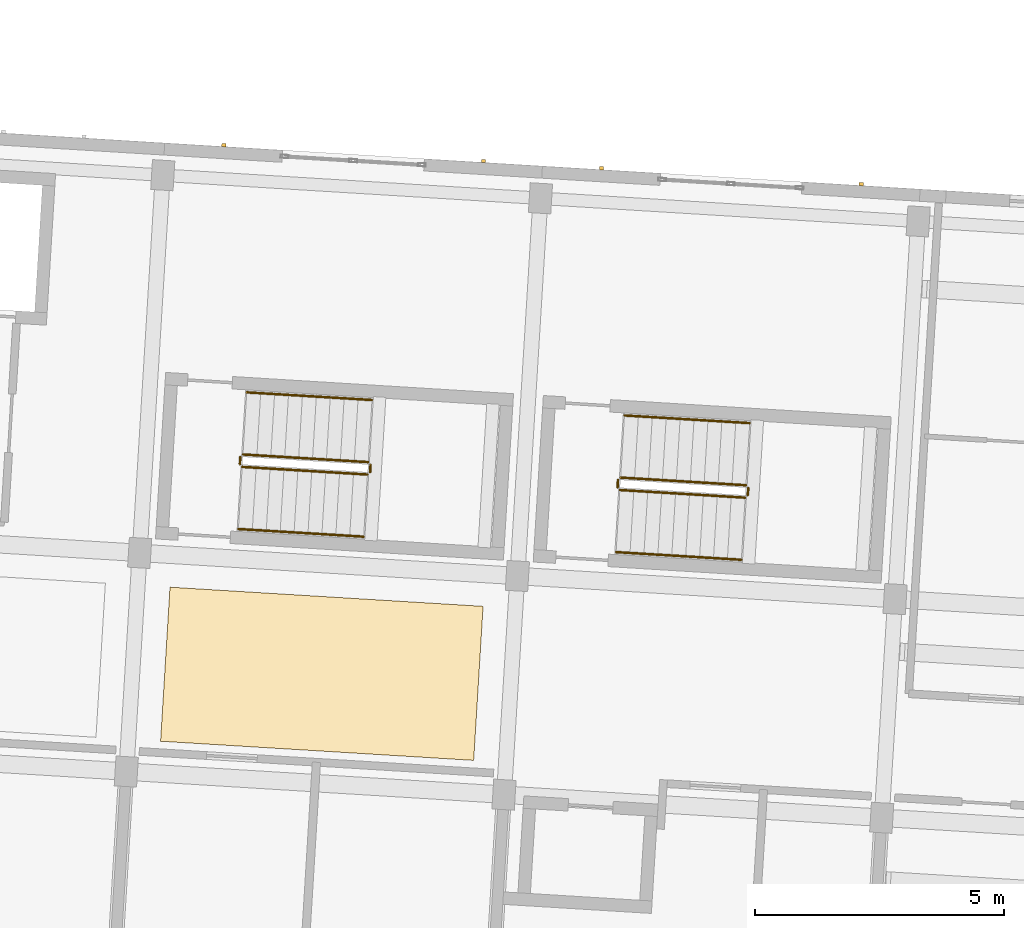
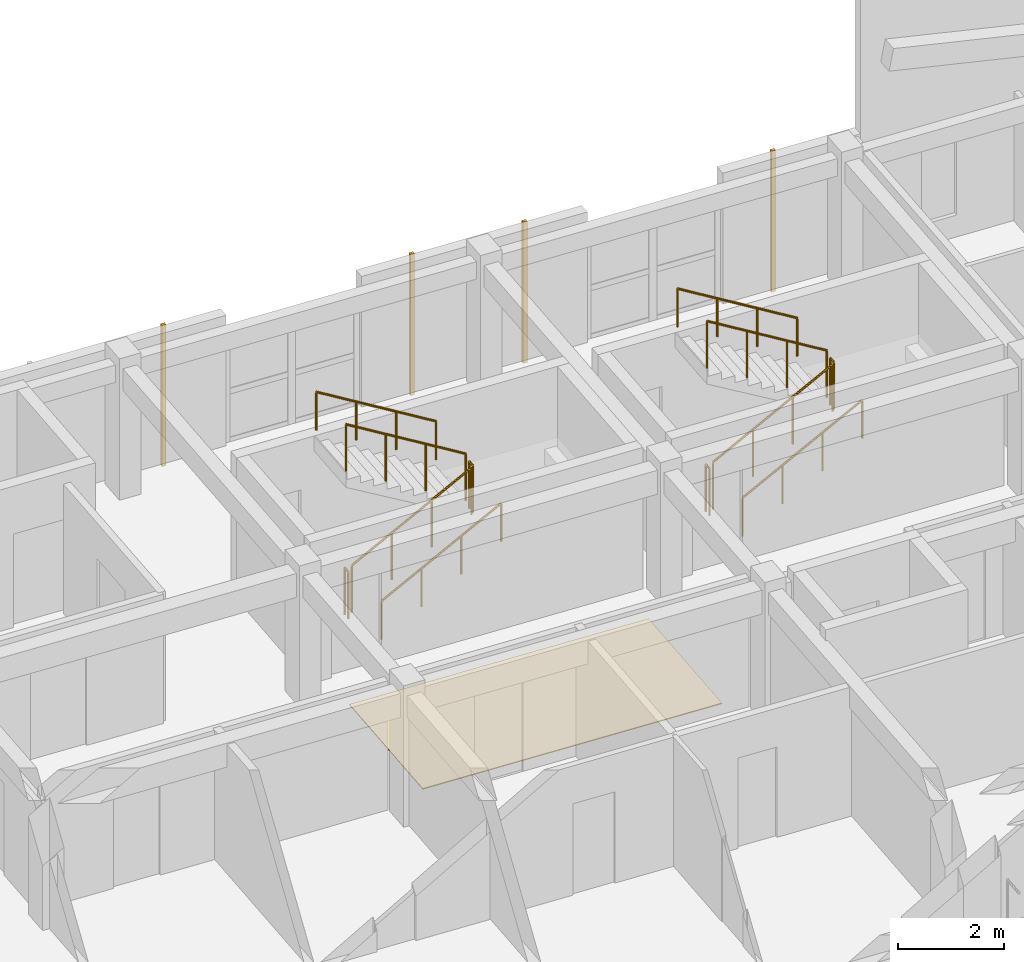
# One storey, part 45 of 56: 12 railings, 5 coverings.
"""IFC4 building model written with IfcOpenShell, lengths in metres."""

from ifc_helpers import new_model, si_unit, direction, frame, origin, origin_2d, place, context, subcontext, project, spatial, polyline, rectangle, circle, outline, extrude, material, layer, layer_set, type_object, element, save


model = new_model("IFC4")

# Units and contexts
model_context = context("Model", 3, precision=1e-05, world=origin(), true_north=direction((0.0, 1.0)))
body_context = subcontext(model_context, "Body", "Model", "MODEL_VIEW")
ifc_project = project(units=[si_unit("LENGTHUNIT", "METRE"), si_unit("AREAUNIT", "SQUARE_METRE"), si_unit("VOLUMEUNIT", "CUBIC_METRE"), si_unit("PLANEANGLEUNIT", "RADIAN"), si_unit("MASSUNIT", "GRAM", prefix="KILO")], contexts=[model_context])

# Site, building, storey
site_placement = place(None, origin())
site = spatial("IfcSite", under=ifc_project, at=site_placement, CompositionType="ELEMENT")
building_placement = place(site_placement, origin())
building = spatial("IfcBuilding", under=site, at=building_placement, Name="Kestramere Prow Commons", CompositionType="ELEMENT")
storey_placement = place(building_placement, frame((0.0, 0.0, 27.89990234375)))
storey = spatial("IfcBuildingStorey", under=building, at=storey_placement, Name="L08", CompositionType="ELEMENT", Elevation=27.89990234375)

# Coverings
ifc_material_1 = material(Name="Weathered Zinc-Titanium Standing-Seam Cladding")
ifc_layer_1 = layer(ifc_material_1, 0.074951171875)
ifc_layer_set_1 = layer_set([ifc_layer_1], Name="Weathered Zinc-Titanium Standing-Seam Cladding")
covering_type_1 = type_object("IfcCoveringType", Name="COV-CLAD-SEAM", PredefinedType="CLADDING", material=ifc_layer_set_1)
for number, where, z_axis, x_axis, name in (
    (1, (69.509033203125, 66.203125, -0.25), (0.0, 0.0, 1.0), (0.998134798422, -0.061048539535, 0.0), "EW-C-L08-NP-1-L Standing-Seam Rib 1"),
    (2, (74.724365234375, 65.88427734375, -0.25), (0.0, 0.0, 1.0), (0.998134798422, -0.061048539535, 0.0), "EW-C-L08-NP-1-R Standing-Seam Rib 1"),
    (3, (77.094970703125, 65.7392578125, -0.25), (0.0, 0.0, 1.0), (0.998134798422, -0.061048539535, 0.0), "EW-C-L08-NP-2-L Standing-Seam Rib 1"),
    (4, (82.31005859375, 65.420166015625, -0.25), (0.0, 0.0, 1.0), (0.998134798422, -0.061048539535, 0.0), "EW-C-L08-NP-2-R Standing-Seam Rib 1"),
):
    element("IfcCovering", number, at=place(storey_placement, frame(where, z_axis=z_axis, x_axis=x_axis)), inside=storey, type_object=covering_type_1, Name=name, PredefinedType="CLADDING", context=body_context, shape_type="SweptSolid", body=[
        extrude(rectangle(XDim=0.0849609375, YDim=0.06494140625, at=origin_2d()), origin(), (0.0, 0.0, 1.0), 3.25),
    ])
ifc_material_2 = material(Name="Honed Cementitious Terrazzo Tile")
ifc_layer_2 = layer(ifc_material_2, 0.02001953125)
ifc_layer_set_2 = layer_set([ifc_layer_2], Name="Honed Cementitious Terrazzo Tile")
covering_type_2 = type_object("IfcCoveringType", Name="COV-FLOOR-TERRAZZO", PredefinedType="FLOORING", material=ifc_layer_set_2)
covering_placement = place(storey_placement, origin())
element("IfcCovering", 5, at=covering_placement, inside=storey, type_object=covering_type_2, Name="Block C L08 Corridor Terrazzo Flooring 2", PredefinedType="FLOORING", context=body_context, shape_type="SweptSolid", body=[
    extrude(outline(polyline([(68.23828125, 54.23095703125), (74.526611328125, 53.846435546875), (74.7158203125, 56.940673828125), (68.427490234375, 57.3251953125), (68.23828125, 54.23095703125)])), origin(), (0.0, 0.0, 1.0), 0.02001953125),
])

# Railings
ifc_material_3 = material(Name="Galvanised Steel S275JR", Category="steel")
railing_type_1 = type_object("IfcRailingType", Name="RL-ST-GR-1100", PredefinedType="GUARDRAIL", material=ifc_material_3)
railing_1_placement = place(storey_placement, frame((69.877685546875, 59.7412109375, 0.16259765625)))
element("IfcRailing", 6, at=railing_1_placement, inside=storey, type_object=railing_type_1, Name="L08 ST-C1 stair guard 1", PredefinedType="GUARDRAIL", context=body_context, shape_type="SweptSolid", body=[
    extrude(circle(Radius=0.02392578125, at=origin_2d()), frame((0.0, 0.0, 1.076171875), z_axis=(0.863306038156, -0.052788780359, 0.501912371984), x_axis=(0.061033243939, 0.998135733823, 0.0)), (0.0, 0.0, 1.0), 2.91357421875),
    extrude(circle(Radius=0.02099609375, at=origin_2d()), origin(), (0.0, 0.0, 1.0), 1.052001953125),
    extrude(circle(Radius=0.02099609375, at=origin_2d()), frame((0.83837890625, -0.05126953125, 0.487548828125)), (0.0, 0.0, 1.0), 1.052001953125),
    extrude(circle(Radius=0.02099609375, at=origin_2d()), frame((1.677001953125, -0.1025390625, 0.974853515625)), (0.0, 0.0, 1.0), 1.052001953125),
    extrude(circle(Radius=0.02099609375, at=origin_2d()), frame((2.515380859375, -0.15380859375, 1.46240234375)), (0.0, 0.0, 1.0), 1.052001953125),
])
railing_2_placement = place(storey_placement, frame((72.446044921875, 59.63427734375, 1.625)))
element("IfcRailing", 7, at=railing_2_placement, inside=storey, type_object=railing_type_1, Name="L08 ST-C1 stair guard 2", PredefinedType="GUARDRAIL", context=body_context, shape_type="SweptSolid", body=[
    extrude(circle(Radius=0.02392578125, at=origin_2d()), frame((0.0, 0.0, 1.076171875), z_axis=(0.060249240593, 0.998183364422, 0.0), x_axis=(-0.998183364422, 0.060249240593, 0.0)), (0.0, 0.0, 1.0), 0.14990234375),
    extrude(circle(Radius=0.02099609375, at=origin_2d()), origin(), (0.0, 0.0, 1.0), 1.052001953125),
    extrude(circle(Radius=0.02099609375, at=origin_2d()), frame((0.009033203125, 0.149658203125, 0.0)), (0.0, 0.0, 1.0), 1.052001953125),
])
railing_3_placement = place(storey_placement, frame((72.408203125, 59.8369140625, 1.78759765625)))
element("IfcRailing", 8, at=railing_3_placement, inside=storey, type_object=railing_type_1, Name="L08 ST-C1 stair guard 3", PredefinedType="GUARDRAIL", context=body_context, shape_type="SweptSolid", body=[
    extrude(circle(Radius=0.02392578125, at=origin_2d()), frame((0.0, 0.0, 1.076171875), z_axis=(-0.863284693866, 0.052792599217, 0.501948681446), x_axis=(-0.061039146275, -0.998135372894, 0.0)), (0.0, 0.0, 1.0), 2.913330078125),
    extrude(circle(Radius=0.02099609375, at=origin_2d()), origin(), (0.0, 0.0, 1.0), 1.052001953125),
    extrude(circle(Radius=0.02099609375, at=origin_2d()), frame((-0.83837890625, 0.05126953125, 0.487548828125)), (0.0, 0.0, 1.0), 1.052001953125),
    extrude(circle(Radius=0.02099609375, at=origin_2d()), frame((-1.6767578125, 0.1025390625, 0.974853515625)), (0.0, 0.0, 1.0), 1.052001953125),
    extrude(circle(Radius=0.02099609375, at=origin_2d()), frame((-2.51513671875, 0.15380859375, 1.46240234375)), (0.0, 0.0, 1.0), 1.052001953125),
])
railing_4_placement = place(storey_placement, frame((69.830810546875, 59.794189453125, 0.0)))
element("IfcRailing", 9, at=railing_4_placement, inside=storey, type_object=railing_type_1, Name="L08 ST-C1 stair guard 4", PredefinedType="GUARDRAIL", context=body_context, shape_type="SweptSolid", body=[
    extrude(circle(Radius=0.02392578125, at=origin_2d()), frame((0.0, 0.0, 1.076171875), z_axis=(0.061871446683, 0.998084126758, 0.0), x_axis=(-0.998084126758, 0.061871446683, 0.0)), (0.0, 0.0, 1.0), 0.14990234375),
    extrude(circle(Radius=0.02099609375, at=origin_2d()), origin(), (0.0, 0.0, 1.0), 1.052001953125),
    extrude(circle(Radius=0.02099609375, at=origin_2d()), frame((0.00927734375, 0.149658203125, 0.0)), (0.0, 0.0, 1.0), 1.052001953125),
])
railing_5_placement = place(storey_placement, frame((77.463623046875, 59.277099609375, 0.16259765625)))
element("IfcRailing", 10, at=railing_5_placement, inside=storey, type_object=railing_type_1, Name="L08 ST-C2 stair guard 1", PredefinedType="GUARDRAIL", context=body_context, shape_type="SweptSolid", body=[
    extrude(circle(Radius=0.02392578125, at=origin_2d()), frame((0.0, 0.0, 1.076171875), z_axis=(0.863284693866, -0.052792599217, 0.501948681446), x_axis=(0.061039146275, 0.998135372894, 0.0)), (0.0, 0.0, 1.0), 2.913330078125),
    extrude(circle(Radius=0.02099609375, at=origin_2d()), origin(), (0.0, 0.0, 1.0), 1.052001953125),
    extrude(circle(Radius=0.02099609375, at=origin_2d()), frame((0.83837890625, -0.05126953125, 0.487548828125)), (0.0, 0.0, 1.0), 1.052001953125),
    extrude(circle(Radius=0.02099609375, at=origin_2d()), frame((1.6767578125, -0.1025390625, 0.974853515625)), (0.0, 0.0, 1.0), 1.052001953125),
    extrude(circle(Radius=0.02099609375, at=origin_2d()), frame((2.51513671875, -0.15380859375, 1.46240234375)), (0.0, 0.0, 1.0), 1.052001953125),
])
railing_6_placement = place(storey_placement, frame((80.03173828125, 59.170166015625, 1.625)))
element("IfcRailing", 11, at=railing_6_placement, inside=storey, type_object=railing_type_1, Name="L08 ST-C2 stair guard 2", PredefinedType="GUARDRAIL", context=body_context, shape_type="SweptSolid", body=[
    extrude(circle(Radius=0.02392578125, at=origin_2d()), frame((0.0, 0.0, 1.076171875), z_axis=(0.061871446683, 0.998084126758, 0.0), x_axis=(-0.998084126758, 0.061871446683, 0.0)), (0.0, 0.0, 1.0), 0.14990234375),
    extrude(circle(Radius=0.02099609375, at=origin_2d()), origin(), (0.0, 0.0, 1.0), 1.052001953125),
    extrude(circle(Radius=0.02099609375, at=origin_2d()), frame((0.00927734375, 0.149658203125, 0.0)), (0.0, 0.0, 1.0), 1.052001953125),
])
railing_7_placement = place(storey_placement, frame((79.994140625, 59.372802734375, 1.78759765625)))
element("IfcRailing", 12, at=railing_7_placement, inside=storey, type_object=railing_type_1, Name="L08 ST-C2 stair guard 3", PredefinedType="GUARDRAIL", context=body_context, shape_type="SweptSolid", body=[
    extrude(circle(Radius=0.02392578125, at=origin_2d()), frame((0.0, 0.0, 1.076171875), z_axis=(-0.863306038156, 0.052788780359, 0.501912371984), x_axis=(-0.061033243939, -0.998135733823, 0.0)), (0.0, 0.0, 1.0), 2.91357421875),
    extrude(circle(Radius=0.02099609375, at=origin_2d()), origin(), (0.0, 0.0, 1.0), 1.052001953125),
    extrude(circle(Radius=0.02099609375, at=origin_2d()), frame((-0.83837890625, 0.05126953125, 0.487548828125)), (0.0, 0.0, 1.0), 1.052001953125),
    extrude(circle(Radius=0.02099609375, at=origin_2d()), frame((-1.677001953125, 0.1025390625, 0.974853515625)), (0.0, 0.0, 1.0), 1.052001953125),
    extrude(circle(Radius=0.02099609375, at=origin_2d()), frame((-2.515380859375, 0.15380859375, 1.46240234375)), (0.0, 0.0, 1.0), 1.052001953125),
])
railing_8_placement = place(storey_placement, frame((77.416748046875, 59.330078125, 0.0)))
element("IfcRailing", 13, at=railing_8_placement, inside=storey, type_object=railing_type_1, Name="L08 ST-C2 stair guard 4", PredefinedType="GUARDRAIL", context=body_context, shape_type="SweptSolid", body=[
    extrude(circle(Radius=0.02392578125, at=origin_2d()), frame((0.0, 0.0, 1.076171875), z_axis=(0.060151470121, 0.998189260933, 0.0), x_axis=(-0.998189260933, 0.060151470121, 0.0)), (0.0, 0.0, 1.0), 0.150146484375),
    extrude(circle(Radius=0.02099609375, at=origin_2d()), origin(), (0.0, 0.0, 1.0), 1.052001953125),
    extrude(circle(Radius=0.02099609375, at=origin_2d()), frame((0.009033203125, 0.14990234375, 0.0)), (0.0, 0.0, 1.0), 1.052001953125),
])
ifc_material_4 = material(Name="Stainless Steel 304", Category="steel")
railing_type_2 = type_object("IfcRailingType", Name="RL-ST-HR-900", PredefinedType="HANDRAIL", material=ifc_material_4)
railing_9_placement = place(storey_placement, frame((69.801513671875, 58.493408203125, 0.3251953125)))
element("IfcRailing", 14, at=railing_9_placement, inside=storey, type_object=railing_type_2, Name="L08 ST-C1 stair handrail 1", PredefinedType="HANDRAIL", context=body_context, shape_type="SweptSolid", body=[
    extrude(circle(Radius=0.02392578125, at=origin_2d()), frame((0.0, 0.0, 0.8759765625), z_axis=(0.863284693866, -0.052792599217, 0.501948681446), x_axis=(0.061039146275, 0.998135372894, 0.0)), (0.0, 0.0, 1.0), 2.913330078125),
    extrude(circle(Radius=0.02099609375, at=origin_2d()), origin(), (0.0, 0.0, 1.0), 0.851806640625),
    extrude(circle(Radius=0.02099609375, at=origin_2d()), frame((0.83837890625, -0.05126953125, 0.487548828125)), (0.0, 0.0, 1.0), 0.851806640625),
    extrude(circle(Radius=0.02099609375, at=origin_2d()), frame((1.6767578125, -0.1025390625, 0.974853515625)), (0.0, 0.0, 1.0), 0.851806640625),
    extrude(circle(Radius=0.02099609375, at=origin_2d()), frame((2.51513671875, -0.15380859375, 1.46240234375)), (0.0, 0.0, 1.0), 0.851806640625),
])
railing_10_placement = place(storey_placement, frame((72.484619140625, 61.08447265625, 1.9501953125)))
element("IfcRailing", 15, at=railing_10_placement, inside=storey, type_object=railing_type_2, Name="L08 ST-C1 stair handrail 2", PredefinedType="HANDRAIL", context=body_context, shape_type="SweptSolid", body=[
    extrude(circle(Radius=0.02392578125, at=origin_2d()), frame((0.0, 0.0, 0.8759765625), z_axis=(-0.863306038156, 0.052788780359, 0.501912371984), x_axis=(-0.061033243939, -0.998135733823, 0.0)), (0.0, 0.0, 1.0), 2.91357421875),
    extrude(circle(Radius=0.02099609375, at=origin_2d()), origin(), (0.0, 0.0, 1.0), 0.851806640625),
    extrude(circle(Radius=0.02099609375, at=origin_2d()), frame((-0.83837890625, 0.05126953125, 0.487548828125)), (0.0, 0.0, 1.0), 0.851806640625),
    extrude(circle(Radius=0.02099609375, at=origin_2d()), frame((-1.677001953125, 0.1025390625, 0.974853515625)), (0.0, 0.0, 1.0), 0.851806640625),
    extrude(circle(Radius=0.02099609375, at=origin_2d()), frame((-2.515380859375, 0.15380859375, 1.46240234375)), (0.0, 0.0, 1.0), 0.851806640625),
])
railing_11_placement = place(storey_placement, frame((77.38720703125, 58.029541015625, 0.3251953125)))
element("IfcRailing", 16, at=railing_11_placement, inside=storey, type_object=railing_type_2, Name="L08 ST-C2 stair handrail 1", PredefinedType="HANDRAIL", context=body_context, shape_type="SweptSolid", body=[
    extrude(circle(Radius=0.02392578125, at=origin_2d()), frame((0.0, 0.0, 0.8759765625), z_axis=(0.863306038156, -0.052788780359, 0.501912371984), x_axis=(0.061033243939, 0.998135733823, 0.0)), (0.0, 0.0, 1.0), 2.91357421875),
    extrude(circle(Radius=0.02099609375, at=origin_2d()), origin(), (0.0, 0.0, 1.0), 0.851806640625),
    extrude(circle(Radius=0.02099609375, at=origin_2d()), frame((0.83837890625, -0.05126953125, 0.487548828125)), (0.0, 0.0, 1.0), 0.851806640625),
    extrude(circle(Radius=0.02099609375, at=origin_2d()), frame((1.677001953125, -0.1025390625, 0.974853515625)), (0.0, 0.0, 1.0), 0.851806640625),
    extrude(circle(Radius=0.02099609375, at=origin_2d()), frame((2.515380859375, -0.15380859375, 1.46240234375)), (0.0, 0.0, 1.0), 0.851806640625),
])
railing_12_placement = place(storey_placement, frame((80.0703125, 60.62060546875, 1.9501953125)))
element("IfcRailing", 17, at=railing_12_placement, inside=storey, type_object=railing_type_2, Name="L08 ST-C2 stair handrail 2", PredefinedType="HANDRAIL", context=body_context, shape_type="SweptSolid", body=[
    extrude(circle(Radius=0.02392578125, at=origin_2d()), frame((0.0, 0.0, 0.8759765625), z_axis=(-0.863284693866, 0.052792599217, 0.501948681446), x_axis=(-0.061039146275, -0.998135372894, 0.0)), (0.0, 0.0, 1.0), 2.913330078125),
    extrude(circle(Radius=0.02099609375, at=origin_2d()), origin(), (0.0, 0.0, 1.0), 0.851806640625),
    extrude(circle(Radius=0.02099609375, at=origin_2d()), frame((-0.83837890625, 0.05126953125, 0.487548828125)), (0.0, 0.0, 1.0), 0.851806640625),
    extrude(circle(Radius=0.02099609375, at=origin_2d()), frame((-1.6767578125, 0.1025390625, 0.974853515625)), (0.0, 0.0, 1.0), 0.851806640625),
    extrude(circle(Radius=0.02099609375, at=origin_2d()), frame((-2.51513671875, 0.15380859375, 1.46240234375)), (0.0, 0.0, 1.0), 0.851806640625),
])

save(model, "model.ifc")
